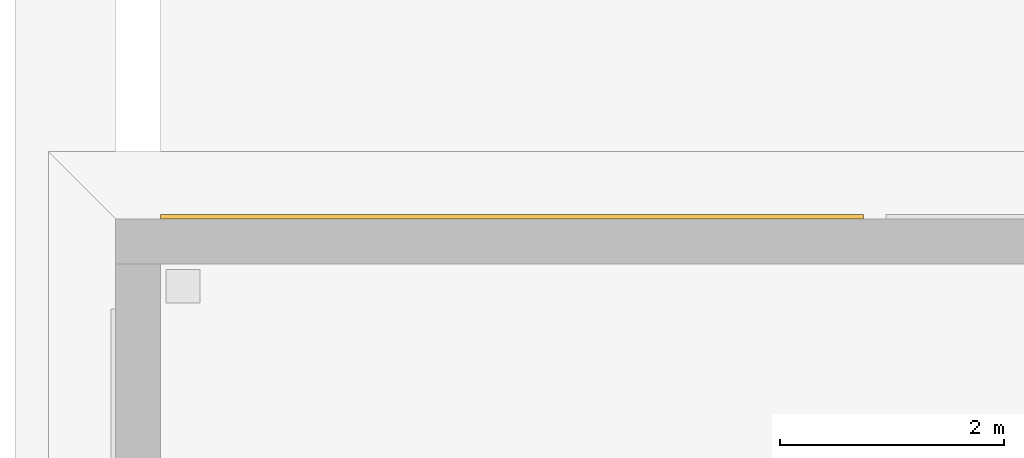
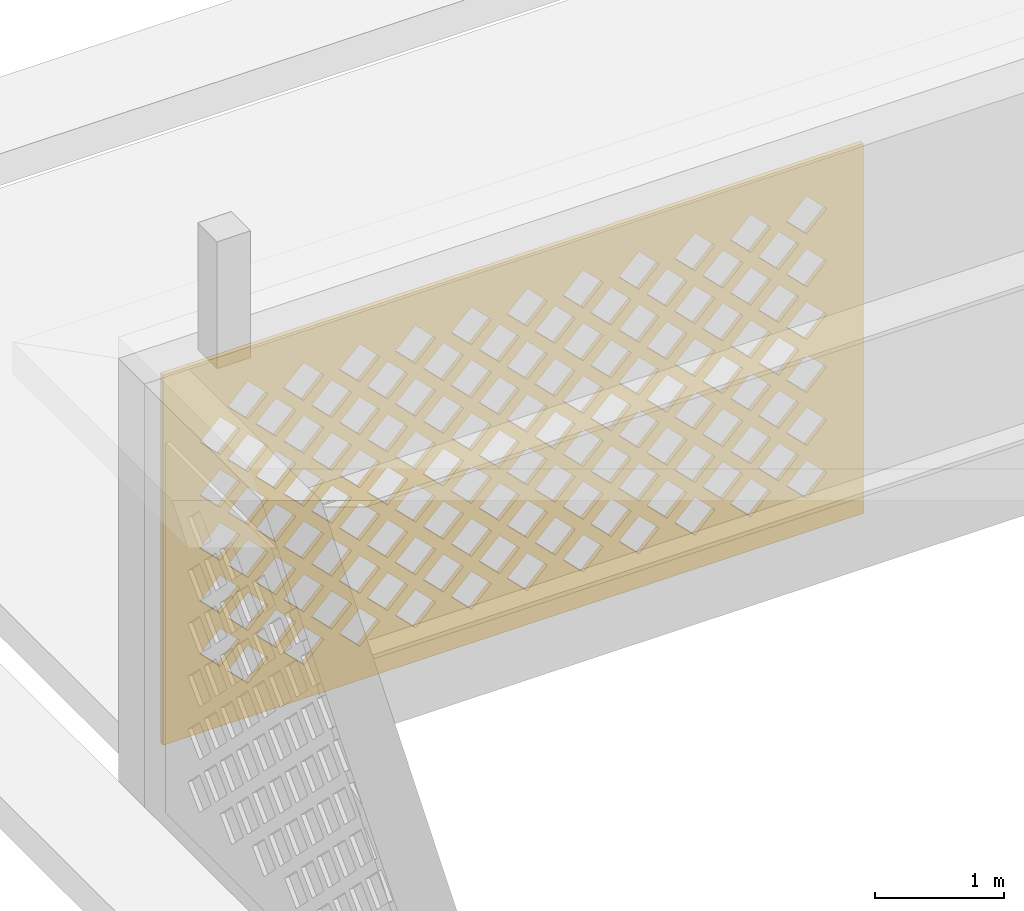
# One storey, part 30 of 63: 1 covering.
"""IFC4 building model written with IfcOpenShell, lengths in metres."""

from ifc_helpers import new_model, si_unit, direction, frame, origin, place, context, subcontext, project, spatial, polyline, outline, extrude, material, layer, layer_set, type_object, element, save


model = new_model("IFC4")

# Units and contexts
model_context = context("Model", 3, precision=1e-05, world=origin(), true_north=direction((0.0, 1.0)))
body_context = subcontext(model_context, "Body", "Model", "MODEL_VIEW")
ifc_project = project(units=[si_unit("LENGTHUNIT", "METRE"), si_unit("AREAUNIT", "SQUARE_METRE"), si_unit("VOLUMEUNIT", "CUBIC_METRE"), si_unit("PLANEANGLEUNIT", "RADIAN"), si_unit("MASSUNIT", "GRAM", prefix="KILO")], contexts=[model_context])

# Site, building, storey
site_placement = place(None, origin())
site = spatial("IfcSite", under=ifc_project, at=site_placement, CompositionType="ELEMENT")
building_placement = place(site_placement, origin())
building = spatial("IfcBuilding", under=site, at=building_placement, Name="Noorbagh Ring Tower", CompositionType="ELEMENT")
storey_placement = place(building_placement, frame((0.0, 0.0, 25.0)))
storey = spatial("IfcBuildingStorey", under=building, at=storey_placement, Name="L04", CompositionType="ELEMENT", Elevation=25.0)

# Covering
ifc_material = material(Name="Red sandstone jali", Category="masonry")
ifc_layer = layer(ifc_material, 0.0400390625)
ifc_layer_set = layer_set([ifc_layer], Name="Red sandstone jali")
covering_type = type_object("IfcCoveringType", Name="STH-BAND", PredefinedType="USERDEFINED", material=ifc_layer_set)
covering_placement = place(storey_placement, frame((-153.333251953125, 23.239990234375, 0.199951171875), z_axis=(0.0, 1.0, 0.0), x_axis=(-1.0, 0.0, 0.0)))
element("IfcCovering", 1, at=covering_placement, inside=storey, type_object=covering_type, Name="Jali band of the stage house", ObjectType="JALI SCREEN", PredefinedType="USERDEFINED", context=body_context, shape_type="SweptSolid", body=[
    extrude(outline(polyline([(0.0, 0.0), (6.266845703125, 0.0), (6.266845703125, 3.5), (0.0, 3.5), (0.0, 0.0)]), holes=[polyline([(0.328369140625, 0.5), (0.50830078125, 0.320068359375), (0.688232421875, 0.5), (0.50830078125, 0.679931640625), (0.328369140625, 0.5)]), polyline([(0.828369140625, 0.5), (1.00830078125, 0.320068359375), (1.188232421875, 0.5), (1.00830078125, 0.679931640625), (0.828369140625, 0.5)]), polyline([(1.328369140625, 0.5), (1.50830078125, 0.320068359375), (1.688232421875, 0.5), (1.50830078125, 0.679931640625), (1.328369140625, 0.5)]), polyline([(1.828369140625, 0.5), (2.00830078125, 0.320068359375), (2.188232421875, 0.5), (2.00830078125, 0.679931640625), (1.828369140625, 0.5)]), polyline([(2.328369140625, 0.5), (2.50830078125, 0.320068359375), (2.688232421875, 0.5), (2.50830078125, 0.679931640625), (2.328369140625, 0.5)]), polyline([(2.828369140625, 0.5), (3.00830078125, 0.320068359375), (3.188232421875, 0.5), (3.00830078125, 0.679931640625), (2.828369140625, 0.5)]), polyline([(3.328369140625, 0.5), (3.50830078125, 0.320068359375), (3.688232421875, 0.5), (3.50830078125, 0.679931640625), (3.328369140625, 0.5)]), polyline([(3.828369140625, 0.5), (4.00830078125, 0.320068359375), (4.188232421875, 0.5), (4.00830078125, 0.679931640625), (3.828369140625, 0.5)]), polyline([(4.328369140625, 0.5), (4.50830078125, 0.320068359375), (4.688232421875, 0.5), (4.50830078125, 0.679931640625), (4.328369140625, 0.5)]), polyline([(4.828369140625, 0.5), (5.00830078125, 0.320068359375), (5.188232421875, 0.5), (5.00830078125, 0.679931640625), (4.828369140625, 0.5)]), polyline([(5.328369140625, 0.5), (5.50830078125, 0.320068359375), (5.688232421875, 0.5), (5.50830078125, 0.679931640625), (5.328369140625, 0.5)]), polyline([(0.578369140625, 0.75), (0.75830078125, 0.570068359375), (0.938232421875, 0.75), (0.75830078125, 0.929931640625), (0.578369140625, 0.75)]), polyline([(1.078369140625, 0.75), (1.25830078125, 0.570068359375), (1.438232421875, 0.75), (1.25830078125, 0.929931640625), (1.078369140625, 0.75)]), polyline([(1.578369140625, 0.75), (1.75830078125, 0.570068359375), (1.938232421875, 0.75), (1.75830078125, 0.929931640625), (1.578369140625, 0.75)]), polyline([(2.078369140625, 0.75), (2.25830078125, 0.570068359375), (2.438232421875, 0.75), (2.25830078125, 0.929931640625), (2.078369140625, 0.75)]), polyline([(2.578369140625, 0.75), (2.75830078125, 0.570068359375), (2.938232421875, 0.75), (2.75830078125, 0.929931640625), (2.578369140625, 0.75)]), polyline([(3.078369140625, 0.75), (3.25830078125, 0.570068359375), (3.438232421875, 0.75), (3.25830078125, 0.929931640625), (3.078369140625, 0.75)]), polyline([(3.578369140625, 0.75), (3.75830078125, 0.570068359375), (3.938232421875, 0.75), (3.75830078125, 0.929931640625), (3.578369140625, 0.75)]), polyline([(4.078369140625, 0.75), (4.25830078125, 0.570068359375), (4.438232421875, 0.75), (4.25830078125, 0.929931640625), (4.078369140625, 0.75)]), polyline([(4.578369140625, 0.75), (4.75830078125, 0.570068359375), (4.938232421875, 0.75), (4.75830078125, 0.929931640625), (4.578369140625, 0.75)]), polyline([(5.078369140625, 0.75), (5.25830078125, 0.570068359375), (5.438232421875, 0.75), (5.25830078125, 0.929931640625), (5.078369140625, 0.75)]), polyline([(5.578369140625, 0.75), (5.75830078125, 0.570068359375), (5.938232421875, 0.75), (5.75830078125, 0.929931640625), (5.578369140625, 0.75)]), polyline([(0.328369140625, 1.0), (0.50830078125, 0.820068359375), (0.688232421875, 1.0), (0.50830078125, 1.179931640625), (0.328369140625, 1.0)]), polyline([(0.828369140625, 1.0), (1.00830078125, 0.820068359375), (1.188232421875, 1.0), (1.00830078125, 1.179931640625), (0.828369140625, 1.0)]), polyline([(1.328369140625, 1.0), (1.50830078125, 0.820068359375), (1.688232421875, 1.0), (1.50830078125, 1.179931640625), (1.328369140625, 1.0)]), polyline([(1.828369140625, 1.0), (2.00830078125, 0.820068359375), (2.188232421875, 1.0), (2.00830078125, 1.179931640625), (1.828369140625, 1.0)]), polyline([(2.328369140625, 1.0), (2.50830078125, 0.820068359375), (2.688232421875, 1.0), (2.50830078125, 1.179931640625), (2.328369140625, 1.0)]), polyline([(2.828369140625, 1.0), (3.00830078125, 0.820068359375), (3.188232421875, 1.0), (3.00830078125, 1.179931640625), (2.828369140625, 1.0)]), polyline([(3.328369140625, 1.0), (3.50830078125, 0.820068359375), (3.688232421875, 1.0), (3.50830078125, 1.179931640625), (3.328369140625, 1.0)]), polyline([(3.828369140625, 1.0), (4.00830078125, 0.820068359375), (4.188232421875, 1.0), (4.00830078125, 1.179931640625), (3.828369140625, 1.0)]), polyline([(4.328369140625, 1.0), (4.50830078125, 0.820068359375), (4.688232421875, 1.0), (4.50830078125, 1.179931640625), (4.328369140625, 1.0)]), polyline([(4.828369140625, 1.0), (5.00830078125, 0.820068359375), (5.188232421875, 1.0), (5.00830078125, 1.179931640625), (4.828369140625, 1.0)]), polyline([(5.328369140625, 1.0), (5.50830078125, 0.820068359375), (5.688232421875, 1.0), (5.50830078125, 1.179931640625), (5.328369140625, 1.0)]), polyline([(0.578369140625, 1.25), (0.75830078125, 1.070068359375), (0.938232421875, 1.25), (0.75830078125, 1.429931640625), (0.578369140625, 1.25)]), polyline([(1.078369140625, 1.25), (1.25830078125, 1.070068359375), (1.438232421875, 1.25), (1.25830078125, 1.429931640625), (1.078369140625, 1.25)]), polyline([(1.578369140625, 1.25), (1.75830078125, 1.070068359375), (1.938232421875, 1.25), (1.75830078125, 1.429931640625), (1.578369140625, 1.25)]), polyline([(2.078369140625, 1.25), (2.25830078125, 1.070068359375), (2.438232421875, 1.25), (2.25830078125, 1.429931640625), (2.078369140625, 1.25)]), polyline([(2.578369140625, 1.25), (2.75830078125, 1.070068359375), (2.938232421875, 1.25), (2.75830078125, 1.429931640625), (2.578369140625, 1.25)]), polyline([(3.078369140625, 1.25), (3.25830078125, 1.070068359375), (3.438232421875, 1.25), (3.25830078125, 1.429931640625), (3.078369140625, 1.25)]), polyline([(3.578369140625, 1.25), (3.75830078125, 1.070068359375), (3.938232421875, 1.25), (3.75830078125, 1.429931640625), (3.578369140625, 1.25)]), polyline([(4.078369140625, 1.25), (4.25830078125, 1.070068359375), (4.438232421875, 1.25), (4.25830078125, 1.429931640625), (4.078369140625, 1.25)]), polyline([(4.578369140625, 1.25), (4.75830078125, 1.070068359375), (4.938232421875, 1.25), (4.75830078125, 1.429931640625), (4.578369140625, 1.25)]), polyline([(5.078369140625, 1.25), (5.25830078125, 1.070068359375), (5.438232421875, 1.25), (5.25830078125, 1.429931640625), (5.078369140625, 1.25)]), polyline([(5.578369140625, 1.25), (5.75830078125, 1.070068359375), (5.938232421875, 1.25), (5.75830078125, 1.429931640625), (5.578369140625, 1.25)]), polyline([(0.328369140625, 1.5), (0.50830078125, 1.320068359375), (0.688232421875, 1.5), (0.50830078125, 1.679931640625), (0.328369140625, 1.5)]), polyline([(0.828369140625, 1.5), (1.00830078125, 1.320068359375), (1.188232421875, 1.5), (1.00830078125, 1.679931640625), (0.828369140625, 1.5)]), polyline([(1.328369140625, 1.5), (1.50830078125, 1.320068359375), (1.688232421875, 1.5), (1.50830078125, 1.679931640625), (1.328369140625, 1.5)]), polyline([(1.828369140625, 1.5), (2.00830078125, 1.320068359375), (2.188232421875, 1.5), (2.00830078125, 1.679931640625), (1.828369140625, 1.5)]), polyline([(2.328369140625, 1.5), (2.50830078125, 1.320068359375), (2.688232421875, 1.5), (2.50830078125, 1.679931640625), (2.328369140625, 1.5)]), polyline([(2.828369140625, 1.5), (3.00830078125, 1.320068359375), (3.188232421875, 1.5), (3.00830078125, 1.679931640625), (2.828369140625, 1.5)]), polyline([(3.328369140625, 1.5), (3.50830078125, 1.320068359375), (3.688232421875, 1.5), (3.50830078125, 1.679931640625), (3.328369140625, 1.5)]), polyline([(3.828369140625, 1.5), (4.00830078125, 1.320068359375), (4.188232421875, 1.5), (4.00830078125, 1.679931640625), (3.828369140625, 1.5)]), polyline([(4.328369140625, 1.5), (4.50830078125, 1.320068359375), (4.688232421875, 1.5), (4.50830078125, 1.679931640625), (4.328369140625, 1.5)]), polyline([(4.828369140625, 1.5), (5.00830078125, 1.320068359375), (5.188232421875, 1.5), (5.00830078125, 1.679931640625), (4.828369140625, 1.5)]), polyline([(5.328369140625, 1.5), (5.50830078125, 1.320068359375), (5.688232421875, 1.5), (5.50830078125, 1.679931640625), (5.328369140625, 1.5)]), polyline([(0.578369140625, 1.75), (0.75830078125, 1.570068359375), (0.938232421875, 1.75), (0.75830078125, 1.929931640625), (0.578369140625, 1.75)]), polyline([(1.078369140625, 1.75), (1.25830078125, 1.570068359375), (1.438232421875, 1.75), (1.25830078125, 1.929931640625), (1.078369140625, 1.75)]), polyline([(1.578369140625, 1.75), (1.75830078125, 1.570068359375), (1.938232421875, 1.75), (1.75830078125, 1.929931640625), (1.578369140625, 1.75)]), polyline([(2.078369140625, 1.75), (2.25830078125, 1.570068359375), (2.438232421875, 1.75), (2.25830078125, 1.929931640625), (2.078369140625, 1.75)]), polyline([(2.578369140625, 1.75), (2.75830078125, 1.570068359375), (2.938232421875, 1.75), (2.75830078125, 1.929931640625), (2.578369140625, 1.75)]), polyline([(3.078369140625, 1.75), (3.25830078125, 1.570068359375), (3.438232421875, 1.75), (3.25830078125, 1.929931640625), (3.078369140625, 1.75)]), polyline([(3.578369140625, 1.75), (3.75830078125, 1.570068359375), (3.938232421875, 1.75), (3.75830078125, 1.929931640625), (3.578369140625, 1.75)]), polyline([(4.078369140625, 1.75), (4.25830078125, 1.570068359375), (4.438232421875, 1.75), (4.25830078125, 1.929931640625), (4.078369140625, 1.75)]), polyline([(4.578369140625, 1.75), (4.75830078125, 1.570068359375), (4.938232421875, 1.75), (4.75830078125, 1.929931640625), (4.578369140625, 1.75)]), polyline([(5.078369140625, 1.75), (5.25830078125, 1.570068359375), (5.438232421875, 1.75), (5.25830078125, 1.929931640625), (5.078369140625, 1.75)]), polyline([(5.578369140625, 1.75), (5.75830078125, 1.570068359375), (5.938232421875, 1.75), (5.75830078125, 1.929931640625), (5.578369140625, 1.75)]), polyline([(0.328369140625, 2.0), (0.50830078125, 1.820068359375), (0.688232421875, 2.0), (0.50830078125, 2.179931640625), (0.328369140625, 2.0)]), polyline([(0.828369140625, 2.0), (1.00830078125, 1.820068359375), (1.188232421875, 2.0), (1.00830078125, 2.179931640625), (0.828369140625, 2.0)]), polyline([(1.328369140625, 2.0), (1.50830078125, 1.820068359375), (1.688232421875, 2.0), (1.50830078125, 2.179931640625), (1.328369140625, 2.0)]), polyline([(1.828369140625, 2.0), (2.00830078125, 1.820068359375), (2.188232421875, 2.0), (2.00830078125, 2.179931640625), (1.828369140625, 2.0)]), polyline([(2.328369140625, 2.0), (2.50830078125, 1.820068359375), (2.688232421875, 2.0), (2.50830078125, 2.179931640625), (2.328369140625, 2.0)]), polyline([(2.828369140625, 2.0), (3.00830078125, 1.820068359375), (3.188232421875, 2.0), (3.00830078125, 2.179931640625), (2.828369140625, 2.0)]), polyline([(3.328369140625, 2.0), (3.50830078125, 1.820068359375), (3.688232421875, 2.0), (3.50830078125, 2.179931640625), (3.328369140625, 2.0)]), polyline([(3.828369140625, 2.0), (4.00830078125, 1.820068359375), (4.188232421875, 2.0), (4.00830078125, 2.179931640625), (3.828369140625, 2.0)]), polyline([(4.328369140625, 2.0), (4.50830078125, 1.820068359375), (4.688232421875, 2.0), (4.50830078125, 2.179931640625), (4.328369140625, 2.0)]), polyline([(4.828369140625, 2.0), (5.00830078125, 1.820068359375), (5.188232421875, 2.0), (5.00830078125, 2.179931640625), (4.828369140625, 2.0)]), polyline([(5.328369140625, 2.0), (5.50830078125, 1.820068359375), (5.688232421875, 2.0), (5.50830078125, 2.179931640625), (5.328369140625, 2.0)]), polyline([(0.578369140625, 2.25), (0.75830078125, 2.070068359375), (0.938232421875, 2.25), (0.75830078125, 2.429931640625), (0.578369140625, 2.25)]), polyline([(1.078369140625, 2.25), (1.25830078125, 2.070068359375), (1.438232421875, 2.25), (1.25830078125, 2.429931640625), (1.078369140625, 2.25)]), polyline([(1.578369140625, 2.25), (1.75830078125, 2.070068359375), (1.938232421875, 2.25), (1.75830078125, 2.429931640625), (1.578369140625, 2.25)]), polyline([(2.078369140625, 2.25), (2.25830078125, 2.070068359375), (2.438232421875, 2.25), (2.25830078125, 2.429931640625), (2.078369140625, 2.25)]), polyline([(2.578369140625, 2.25), (2.75830078125, 2.070068359375), (2.938232421875, 2.25), (2.75830078125, 2.429931640625), (2.578369140625, 2.25)]), polyline([(3.078369140625, 2.25), (3.25830078125, 2.070068359375), (3.438232421875, 2.25), (3.25830078125, 2.429931640625), (3.078369140625, 2.25)]), polyline([(3.578369140625, 2.25), (3.75830078125, 2.070068359375), (3.938232421875, 2.25), (3.75830078125, 2.429931640625), (3.578369140625, 2.25)]), polyline([(4.078369140625, 2.25), (4.25830078125, 2.070068359375), (4.438232421875, 2.25), (4.25830078125, 2.429931640625), (4.078369140625, 2.25)]), polyline([(4.578369140625, 2.25), (4.75830078125, 2.070068359375), (4.938232421875, 2.25), (4.75830078125, 2.429931640625), (4.578369140625, 2.25)]), polyline([(5.078369140625, 2.25), (5.25830078125, 2.070068359375), (5.438232421875, 2.25), (5.25830078125, 2.429931640625), (5.078369140625, 2.25)]), polyline([(5.578369140625, 2.25), (5.75830078125, 2.070068359375), (5.938232421875, 2.25), (5.75830078125, 2.429931640625), (5.578369140625, 2.25)]), polyline([(0.328369140625, 2.5), (0.50830078125, 2.320068359375), (0.688232421875, 2.5), (0.50830078125, 2.679931640625), (0.328369140625, 2.5)]), polyline([(0.828369140625, 2.5), (1.00830078125, 2.320068359375), (1.188232421875, 2.5), (1.00830078125, 2.679931640625), (0.828369140625, 2.5)]), polyline([(1.328369140625, 2.5), (1.50830078125, 2.320068359375), (1.688232421875, 2.5), (1.50830078125, 2.679931640625), (1.328369140625, 2.5)]), polyline([(1.828369140625, 2.5), (2.00830078125, 2.320068359375), (2.188232421875, 2.5), (2.00830078125, 2.679931640625), (1.828369140625, 2.5)]), polyline([(2.328369140625, 2.5), (2.50830078125, 2.320068359375), (2.688232421875, 2.5), (2.50830078125, 2.679931640625), (2.328369140625, 2.5)]), polyline([(2.828369140625, 2.5), (3.00830078125, 2.320068359375), (3.188232421875, 2.5), (3.00830078125, 2.679931640625), (2.828369140625, 2.5)]), polyline([(3.328369140625, 2.5), (3.50830078125, 2.320068359375), (3.688232421875, 2.5), (3.50830078125, 2.679931640625), (3.328369140625, 2.5)]), polyline([(3.828369140625, 2.5), (4.00830078125, 2.320068359375), (4.188232421875, 2.5), (4.00830078125, 2.679931640625), (3.828369140625, 2.5)]), polyline([(4.328369140625, 2.5), (4.50830078125, 2.320068359375), (4.688232421875, 2.5), (4.50830078125, 2.679931640625), (4.328369140625, 2.5)]), polyline([(4.828369140625, 2.5), (5.00830078125, 2.320068359375), (5.188232421875, 2.5), (5.00830078125, 2.679931640625), (4.828369140625, 2.5)]), polyline([(5.328369140625, 2.5), (5.50830078125, 2.320068359375), (5.688232421875, 2.5), (5.50830078125, 2.679931640625), (5.328369140625, 2.5)]), polyline([(0.578369140625, 2.75), (0.75830078125, 2.570068359375), (0.938232421875, 2.75), (0.75830078125, 2.929931640625), (0.578369140625, 2.75)]), polyline([(1.078369140625, 2.75), (1.25830078125, 2.570068359375), (1.438232421875, 2.75), (1.25830078125, 2.929931640625), (1.078369140625, 2.75)]), polyline([(1.578369140625, 2.75), (1.75830078125, 2.570068359375), (1.938232421875, 2.75), (1.75830078125, 2.929931640625), (1.578369140625, 2.75)]), polyline([(2.078369140625, 2.75), (2.25830078125, 2.570068359375), (2.438232421875, 2.75), (2.25830078125, 2.929931640625), (2.078369140625, 2.75)]), polyline([(2.578369140625, 2.75), (2.75830078125, 2.570068359375), (2.938232421875, 2.75), (2.75830078125, 2.929931640625), (2.578369140625, 2.75)]), polyline([(3.078369140625, 2.75), (3.25830078125, 2.570068359375), (3.438232421875, 2.75), (3.25830078125, 2.929931640625), (3.078369140625, 2.75)]), polyline([(3.578369140625, 2.75), (3.75830078125, 2.570068359375), (3.938232421875, 2.75), (3.75830078125, 2.929931640625), (3.578369140625, 2.75)]), polyline([(4.078369140625, 2.75), (4.25830078125, 2.570068359375), (4.438232421875, 2.75), (4.25830078125, 2.929931640625), (4.078369140625, 2.75)]), polyline([(4.578369140625, 2.75), (4.75830078125, 2.570068359375), (4.938232421875, 2.75), (4.75830078125, 2.929931640625), (4.578369140625, 2.75)]), polyline([(5.078369140625, 2.75), (5.25830078125, 2.570068359375), (5.438232421875, 2.75), (5.25830078125, 2.929931640625), (5.078369140625, 2.75)]), polyline([(5.578369140625, 2.75), (5.75830078125, 2.570068359375), (5.938232421875, 2.75), (5.75830078125, 2.929931640625), (5.578369140625, 2.75)]), polyline([(0.328369140625, 3.0), (0.50830078125, 2.820068359375), (0.688232421875, 3.0), (0.50830078125, 3.179931640625), (0.328369140625, 3.0)]), polyline([(0.828369140625, 3.0), (1.00830078125, 2.820068359375), (1.188232421875, 3.0), (1.00830078125, 3.179931640625), (0.828369140625, 3.0)]), polyline([(1.328369140625, 3.0), (1.50830078125, 2.820068359375), (1.688232421875, 3.0), (1.50830078125, 3.179931640625), (1.328369140625, 3.0)]), polyline([(1.828369140625, 3.0), (2.00830078125, 2.820068359375), (2.188232421875, 3.0), (2.00830078125, 3.179931640625), (1.828369140625, 3.0)]), polyline([(2.328369140625, 3.0), (2.50830078125, 2.820068359375), (2.688232421875, 3.0), (2.50830078125, 3.179931640625), (2.328369140625, 3.0)]), polyline([(2.828369140625, 3.0), (3.00830078125, 2.820068359375), (3.188232421875, 3.0), (3.00830078125, 3.179931640625), (2.828369140625, 3.0)]), polyline([(3.328369140625, 3.0), (3.50830078125, 2.820068359375), (3.688232421875, 3.0), (3.50830078125, 3.179931640625), (3.328369140625, 3.0)]), polyline([(3.828369140625, 3.0), (4.00830078125, 2.820068359375), (4.188232421875, 3.0), (4.00830078125, 3.179931640625), (3.828369140625, 3.0)]), polyline([(4.328369140625, 3.0), (4.50830078125, 2.820068359375), (4.688232421875, 3.0), (4.50830078125, 3.179931640625), (4.328369140625, 3.0)]), polyline([(4.828369140625, 3.0), (5.00830078125, 2.820068359375), (5.188232421875, 3.0), (5.00830078125, 3.179931640625), (4.828369140625, 3.0)]), polyline([(5.328369140625, 3.0), (5.50830078125, 2.820068359375), (5.688232421875, 3.0), (5.50830078125, 3.179931640625), (5.328369140625, 3.0)])]), origin(), (0.0, 0.0, -1.0), 0.0400390625),
])

save(model, "model.ifc")
